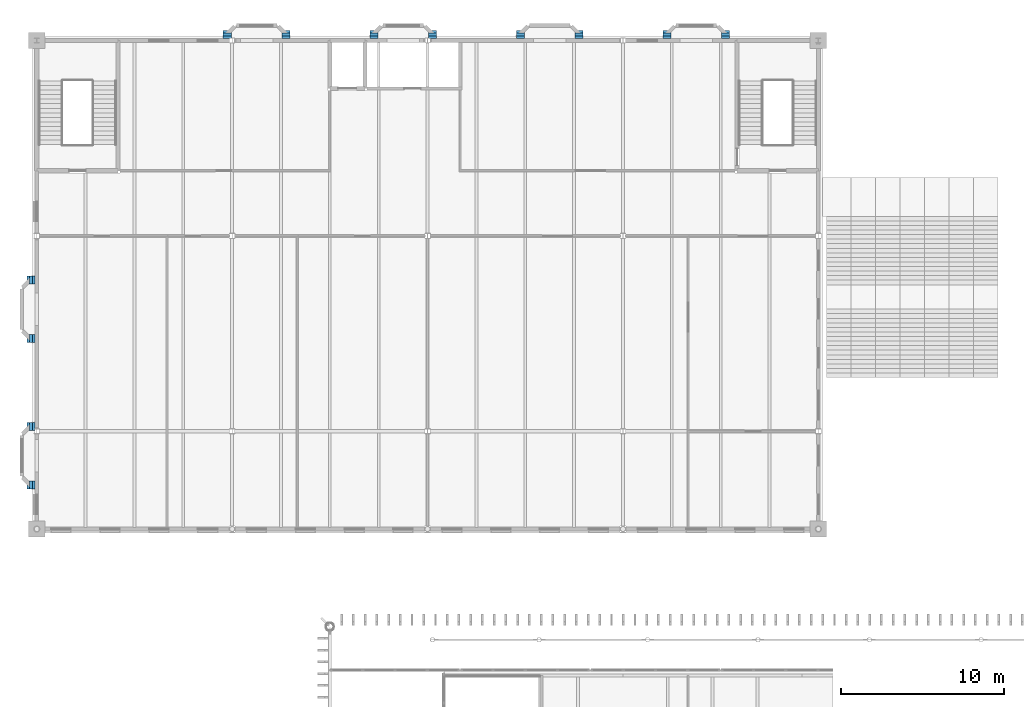
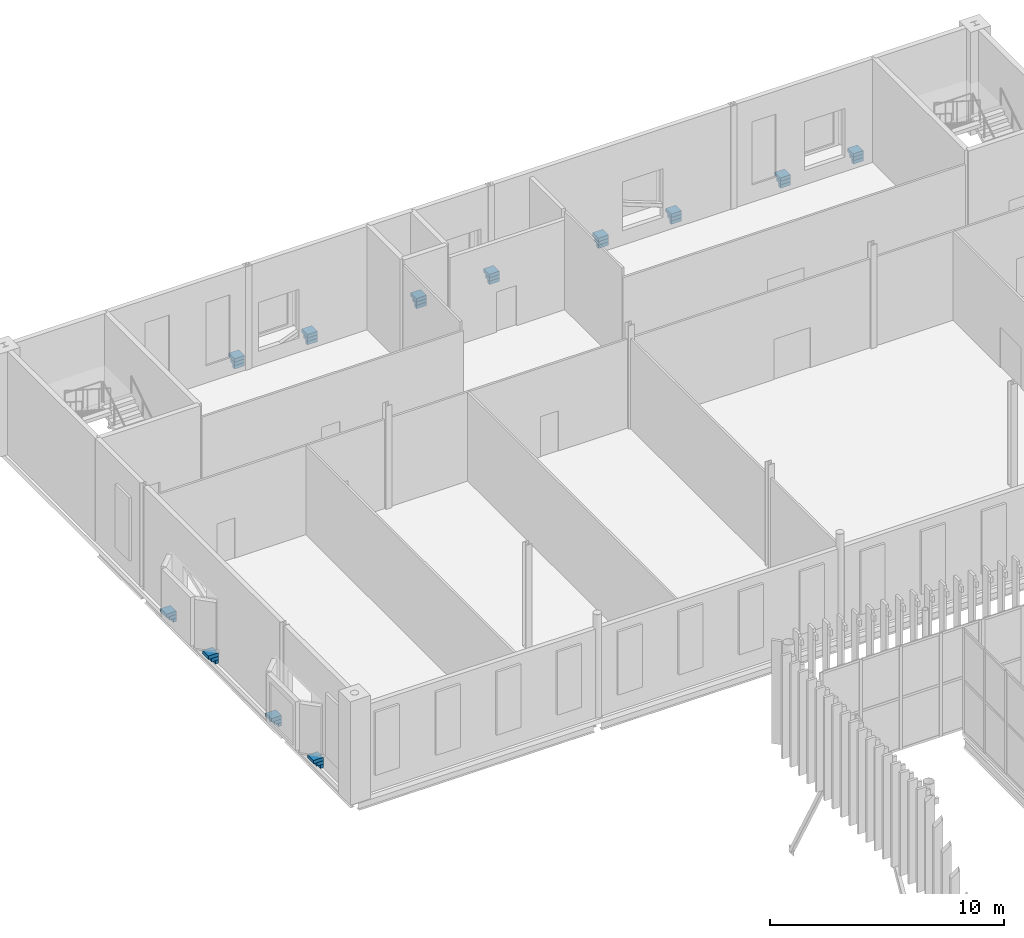
# One storey, part 122 of 170: 36 walls.
"""IFC4 building model written with IfcOpenShell, lengths in metres."""

from ifc_helpers import new_model, si_unit, direction, frame, frame_2d, origin, place, context, subcontext, project, spatial, rectangle, extrude, material, layer, layer_set, type_object, element, save


model = new_model("IFC4")

# Units and contexts
model_context = context("Model", 3, precision=1e-05, world=origin(), true_north=direction((0.0, 1.0)))
body_context = subcontext(model_context, "Body", "Model", "MODEL_VIEW")
ifc_project = project(units=[si_unit("LENGTHUNIT", "METRE"), si_unit("AREAUNIT", "SQUARE_METRE"), si_unit("VOLUMEUNIT", "CUBIC_METRE"), si_unit("PLANEANGLEUNIT", "RADIAN"), si_unit("MASSUNIT", "GRAM", prefix="KILO")], contexts=[model_context])

# Site, building, storey
site_placement = place(None, origin())
site = spatial("IfcSite", under=ifc_project, at=site_placement, CompositionType="ELEMENT")
building_placement = place(site_placement, origin())
building = spatial("IfcBuilding", under=site, at=building_placement, Name="Ravi Spectrum Wholesale Market", CompositionType="ELEMENT")
storey_placement = place(building_placement, frame((0.0, 0.0, 5.39990234375)))
storey = spatial("IfcBuildingStorey", under=building, at=storey_placement, Name="L01", CompositionType="ELEMENT", Elevation=5.39990234375)

# Walls
ifc_material_1 = material(Name="Clinker brickwork", Category="masonry")
ifc_layer_1 = layer(ifc_material_1, 0.159912109375)
ifc_layer_set_1 = layer_set([ifc_layer_1], Name="Clinker brickwork")
wall_type_1 = type_object("IfcWallType", Name="Brick corbel block 160", PredefinedType="SOLIDWALL", material=ifc_layer_set_1)
for number, where, z_axis, x_axis, name in (
    (1, (23.449951171875, 234.195068359375, 0.050048828125), (0.0, 0.0, 1.0), (1.0, 0.0, 0.0), "Oriel corbel"),
    (2, (27.050048828125, 234.195068359375, 0.050048828125), (0.0, 0.0, 1.0), (1.0, 0.0, 0.0), "Oriel corbel"),
    (3, (32.449951171875, 234.195068359375, 0.050048828125), (0.0, 0.0, 1.0), (1.0, 0.0, 0.0), "Oriel corbel"),
    (4, (36.050048828125, 234.195068359375, 0.050048828125), (0.0, 0.0, 1.0), (1.0, 0.0, 0.0), "Oriel corbel"),
    (5, (41.449951171875, 234.195068359375, 0.050048828125), (0.0, 0.0, 1.0), (1.0, 0.0, 0.0), "Oriel corbel"),
    (6, (45.050048828125, 234.195068359375, 0.050048828125), (0.0, 0.0, 1.0), (1.0, 0.0, 0.0), "Oriel corbel"),
    (7, (50.449951171875, 234.195068359375, 0.050048828125), (0.0, 0.0, 1.0), (1.0, 0.0, 0.0), "Oriel corbel"),
    (8, (54.050048828125, 234.195068359375, 0.050048828125), (0.0, 0.0, 1.0), (1.0, 0.0, 0.0), "Oriel corbel"),
    (9, (11.804931640625, 206.449951171875, 0.050048828125), (0.0, 0.0, 1.0), (0.0, 1.0, 0.0), "Oriel corbel"),
    (10, (11.804931640625, 210.050048828125, 0.050048828125), (0.0, 0.0, 1.0), (0.0, 1.0, 0.0), "Oriel corbel"),
    (11, (11.804931640625, 215.449951171875, 0.050048828125), (0.0, 0.0, 1.0), (0.0, 1.0, 0.0), "Oriel corbel"),
    (12, (11.804931640625, 219.050048828125, 0.050048828125), (0.0, 0.0, 1.0), (0.0, 1.0, 0.0), "Oriel corbel"),
):
    element("IfcWall", number, at=place(storey_placement, frame(where, z_axis=z_axis, x_axis=x_axis)), inside=storey, type_object=wall_type_1, Name=name, PredefinedType="SOLIDWALL", context=body_context, shape_type="SweptSolid", body=[
        extrude(rectangle(XDim=0.5, YDim=0.159912109375, at=frame_2d((0.25, 0.0))), origin(), (0.0, 0.0, 1.0), 0.179931640625),
    ])
ifc_material_2 = material(Name="Clinker brickwork", Category="masonry")
ifc_layer_2 = layer(ifc_material_2, 0.340087890625)
ifc_layer_set_2 = layer_set([ifc_layer_2], Name="Clinker brickwork")
wall_type_2 = type_object("IfcWallType", Name="Brick corbel block 340", PredefinedType="SOLIDWALL", material=ifc_layer_set_2)
for number, where, z_axis, x_axis, name in (
    (13, (23.449951171875, 234.284912109375, 0.22998046875), (0.0, 0.0, 1.0), (1.0, 0.0, 0.0), "Oriel corbel"),
    (14, (27.050048828125, 234.284912109375, 0.22998046875), (0.0, 0.0, 1.0), (1.0, 0.0, 0.0), "Oriel corbel"),
    (15, (32.449951171875, 234.284912109375, 0.22998046875), (0.0, 0.0, 1.0), (1.0, 0.0, 0.0), "Oriel corbel"),
    (16, (36.050048828125, 234.284912109375, 0.22998046875), (0.0, 0.0, 1.0), (1.0, 0.0, 0.0), "Oriel corbel"),
    (17, (41.449951171875, 234.284912109375, 0.22998046875), (0.0, 0.0, 1.0), (1.0, 0.0, 0.0), "Oriel corbel"),
    (18, (45.050048828125, 234.284912109375, 0.22998046875), (0.0, 0.0, 1.0), (1.0, 0.0, 0.0), "Oriel corbel"),
    (19, (50.449951171875, 234.284912109375, 0.22998046875), (0.0, 0.0, 1.0), (1.0, 0.0, 0.0), "Oriel corbel"),
    (20, (54.050048828125, 234.284912109375, 0.22998046875), (0.0, 0.0, 1.0), (1.0, 0.0, 0.0), "Oriel corbel"),
    (21, (11.715087890625, 206.449951171875, 0.22998046875), (0.0, 0.0, 1.0), (0.0, 1.0, 0.0), "Oriel corbel"),
    (22, (11.715087890625, 210.050048828125, 0.22998046875), (0.0, 0.0, 1.0), (0.0, 1.0, 0.0), "Oriel corbel"),
    (23, (11.715087890625, 215.449951171875, 0.22998046875), (0.0, 0.0, 1.0), (0.0, 1.0, 0.0), "Oriel corbel"),
    (24, (11.715087890625, 219.050048828125, 0.22998046875), (0.0, 0.0, 1.0), (0.0, 1.0, 0.0), "Oriel corbel"),
):
    element("IfcWall", number, at=place(storey_placement, frame(where, z_axis=z_axis, x_axis=x_axis)), inside=storey, type_object=wall_type_2, Name=name, PredefinedType="SOLIDWALL", context=body_context, shape_type="SweptSolid", body=[
        extrude(rectangle(XDim=0.5, YDim=0.340087890625, at=frame_2d((0.25, 0.0))), origin(), (0.0, 0.0, 1.0), 0.18017578125),
    ])
ifc_material_3 = material(Name="Clinker brickwork", Category="masonry")
ifc_layer_3 = layer(ifc_material_3, 0.5)
ifc_layer_set_3 = layer_set([ifc_layer_3], Name="Clinker brickwork")
wall_type_3 = type_object("IfcWallType", Name="Brick corbel block 500", PredefinedType="SOLIDWALL", material=ifc_layer_set_3)
for number, where, z_axis, x_axis, name in (
    (25, (23.449951171875, 234.364990234375, 0.41015625), (0.0, 0.0, 1.0), (1.0, 0.0, 0.0), "Oriel corbel"),
    (26, (27.050048828125, 234.364990234375, 0.41015625), (0.0, 0.0, 1.0), (1.0, 0.0, 0.0), "Oriel corbel"),
    (27, (32.449951171875, 234.364990234375, 0.41015625), (0.0, 0.0, 1.0), (1.0, 0.0, 0.0), "Oriel corbel"),
    (28, (36.050048828125, 234.364990234375, 0.41015625), (0.0, 0.0, 1.0), (1.0, 0.0, 0.0), "Oriel corbel"),
    (29, (41.449951171875, 234.364990234375, 0.41015625), (0.0, 0.0, 1.0), (1.0, 0.0, 0.0), "Oriel corbel"),
    (30, (45.050048828125, 234.364990234375, 0.41015625), (0.0, 0.0, 1.0), (1.0, 0.0, 0.0), "Oriel corbel"),
    (31, (50.449951171875, 234.364990234375, 0.41015625), (0.0, 0.0, 1.0), (1.0, 0.0, 0.0), "Oriel corbel"),
    (32, (54.050048828125, 234.364990234375, 0.41015625), (0.0, 0.0, 1.0), (1.0, 0.0, 0.0), "Oriel corbel"),
    (33, (11.635009765625, 206.449951171875, 0.41015625), (0.0, 0.0, 1.0), (0.0, 1.0, 0.0), "Oriel corbel"),
    (34, (11.635009765625, 210.050048828125, 0.41015625), (0.0, 0.0, 1.0), (0.0, 1.0, 0.0), "Oriel corbel"),
    (35, (11.635009765625, 215.449951171875, 0.41015625), (0.0, 0.0, 1.0), (0.0, 1.0, 0.0), "Oriel corbel"),
    (36, (11.635009765625, 219.050048828125, 0.41015625), (0.0, 0.0, 1.0), (0.0, 1.0, 0.0), "Oriel corbel"),
):
    element("IfcWall", number, at=place(storey_placement, frame(where, z_axis=z_axis, x_axis=x_axis)), inside=storey, type_object=wall_type_3, Name=name, PredefinedType="SOLIDWALL", context=body_context, shape_type="SweptSolid", body=[
        extrude(rectangle(XDim=0.5, YDim=0.5, at=frame_2d((0.25, 0.0))), origin(), (0.0, 0.0, 1.0), 0.179931640625),
    ])

save(model, "model.ifc")
